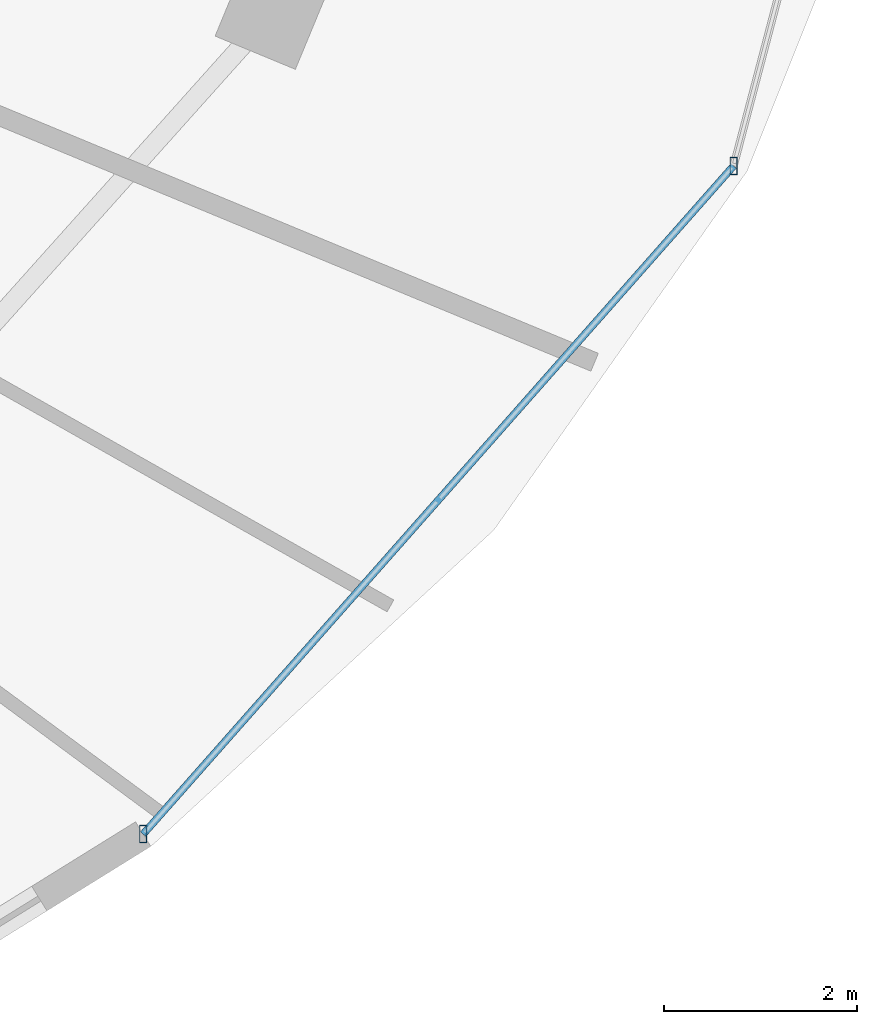
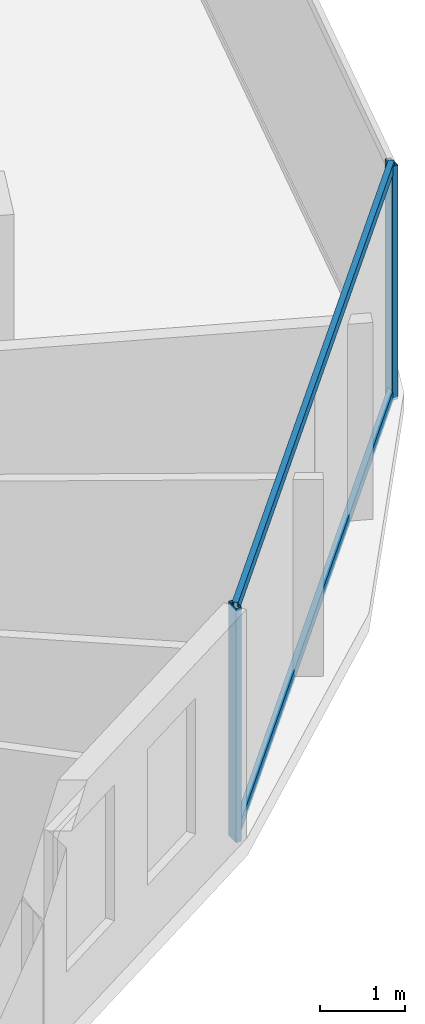
# One storey, part 13 of 33: 4 members, 1 element without a shape of its own.
"""IFC4 building model written with IfcOpenShell, lengths in metres."""

from ifc_helpers import new_model, si_unit, direction, frame, origin, origin_2d, place, context, subcontext, project, spatial, hollow_rectangle, extrude, material, material_profile, profile_set, type_object, element, aggregate, save


model = new_model("IFC4")

# Units and contexts
model_context = context("Model", 3, precision=1e-05, world=origin(), true_north=direction((0.0, 1.0)))
body_context = subcontext(model_context, "Body", "Model", "MODEL_VIEW")
ifc_project = project(units=[si_unit("LENGTHUNIT", "METRE"), si_unit("AREAUNIT", "SQUARE_METRE"), si_unit("VOLUMEUNIT", "CUBIC_METRE"), si_unit("PLANEANGLEUNIT", "RADIAN"), si_unit("MASSUNIT", "GRAM", prefix="KILO")], contexts=[model_context])

# Site, building, storey
site_placement = place(None, origin())
site = spatial("IfcSite", under=ifc_project, at=site_placement, CompositionType="ELEMENT")
building_placement = place(site_placement, origin())
building = spatial("IfcBuilding", under=site, at=building_placement, Name="Vorneva Point Tower", CompositionType="ELEMENT")
storey_placement = place(building_placement, frame((0.0, 0.0, 200.10009765625)))
storey = spatial("IfcBuildingStorey", under=building, at=storey_placement, Name="L54", CompositionType="ELEMENT", Elevation=200.10009765625)

# Curtain wall, members
ifc_material = material(Name="Pale anodised aluminium", Category="aluminium")
curtain_wall_type = type_object("IfcCurtainWallType", Name="CW-RES-SYS", PredefinedType="NOTDEFINED", material=ifc_material)
curtain_wall_placement = place(storey_placement, origin())
curtain_wall = element("IfcCurtainWall", 1, at=curtain_wall_placement, inside=storey, type_object=curtain_wall_type, Name="L54 Unitised Curtain Wall CW-L54-R04", PredefinedType="NOTDEFINED")
ifc_material_profile_1 = material_profile(ifc_material, hollow_rectangle(XDim=0.074951171875, YDim=0.179931640625, WallThickness=0.00390625, at=origin_2d()), Name="AL-MUL 180x75x4")
ifc_profile_set_1 = profile_set([ifc_material_profile_1], Name="Pale anodised aluminium")
member_type_1 = type_object("IfcMemberType", Name="CW-MUL-180", PredefinedType="MULLION", material=ifc_profile_set_1)
member_1_placement = place(storey_placement, frame((57.961669921875, 10.9033203125, -0.0400390625), z_axis=(0.0, 0.0, 1.0), x_axis=(1.0, 0.0, 0.0)))
member_1 = element("IfcMember", 2, at=member_1_placement, type_object=member_type_1, Name="CW-L54-R04 Mullion 01", PredefinedType="MULLION", context=body_context, shape_type="SweptSolid", body=[
    extrude(hollow_rectangle(XDim=0.074951171875, YDim=0.179931640625, WallThickness=0.00390625, at=origin_2d()), origin(), (0.0, 0.0, 1.0), 3.35986328125),
])
member_2_placement = place(storey_placement, frame((64.0810546875, 17.82958984375, -0.0400390625), z_axis=(0.0, 0.0, 1.0), x_axis=(1.0, 0.0, 0.0)))
member_2 = element("IfcMember", 3, at=member_2_placement, type_object=member_type_1, Name="CW-L54-R04 Mullion 02", PredefinedType="MULLION", context=body_context, shape_type="SweptSolid", body=[
    extrude(hollow_rectangle(XDim=0.074951171875, YDim=0.179931640625, WallThickness=0.00390625, at=origin_2d()), origin(), (0.0, 0.0, 1.0), 3.35986328125),
])
ifc_material_profile_2 = material_profile(ifc_material, hollow_rectangle(XDim=0.074951171875, YDim=0.14990234375, WallThickness=0.00390625, at=origin_2d()), Name="AL-TRN 150x75x4")
ifc_profile_set_2 = profile_set([ifc_material_profile_2], Name="Pale anodised aluminium")
member_type_2 = type_object("IfcMemberType", Name="CW-TRN-150", PredefinedType="USERDEFINED", material=ifc_profile_set_2)
member_3_placement = place(storey_placement, frame((57.961669921875, 10.9033203125, 0.02001953125), z_axis=(0.662106383869, 0.749409858782, 0.0), x_axis=(-0.749409858782, 0.662106383869, 0.0)))
member_3 = element("IfcMember", 4, at=member_3_placement, type_object=member_type_2, Name="CW-L54-R04 Transom 01.1", ObjectType="TRANSOM", PredefinedType="USERDEFINED", context=body_context, shape_type="SweptSolid", body=[
    extrude(hollow_rectangle(XDim=0.074951171875, YDim=0.14990234375, WallThickness=0.00390625, at=origin_2d()), origin(), (0.0, 0.0, 1.0), 9.2421875),
])
member_4_placement = place(storey_placement, frame((57.961669921875, 10.9033203125, 3.27001953125), z_axis=(0.662106383869, 0.749409858782, 0.0), x_axis=(-0.749409858782, 0.662106383869, 0.0)))
member_4 = element("IfcMember", 5, at=member_4_placement, type_object=member_type_2, Name="CW-L54-R04 Transom 01.2", ObjectType="TRANSOM", PredefinedType="USERDEFINED", context=body_context, shape_type="SweptSolid", body=[
    extrude(hollow_rectangle(XDim=0.074951171875, YDim=0.14990234375, WallThickness=0.00390625, at=origin_2d()), origin(), (0.0, 0.0, 1.0), 9.2421875),
])
aggregate(curtain_wall, [member_1, member_2, member_3, member_4])

save(model, "model.ifc")
